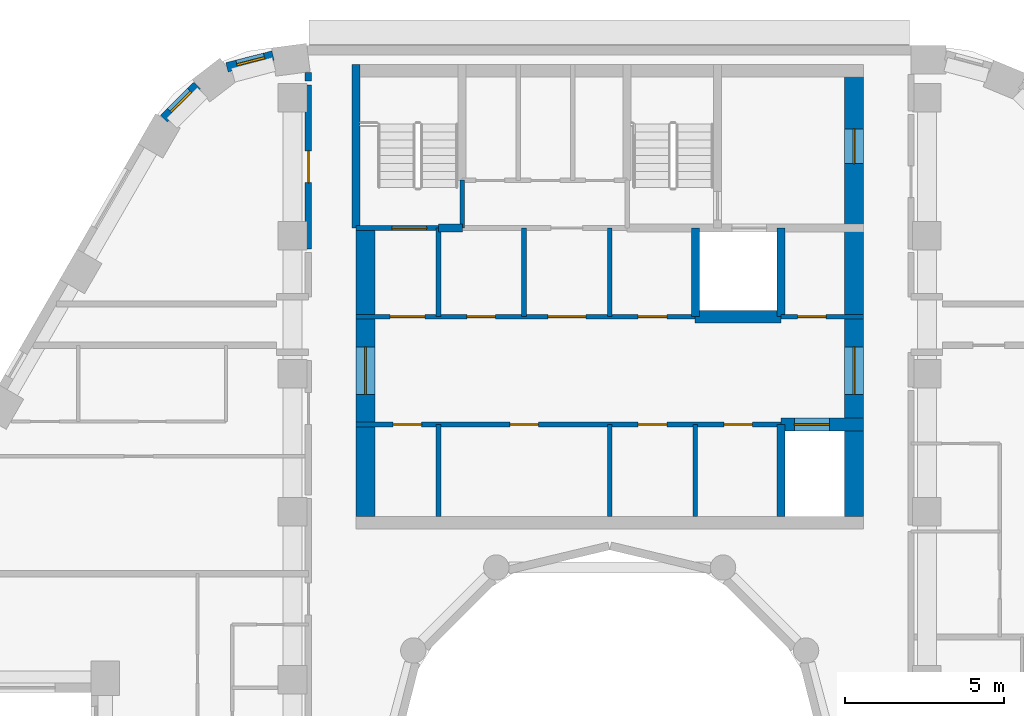
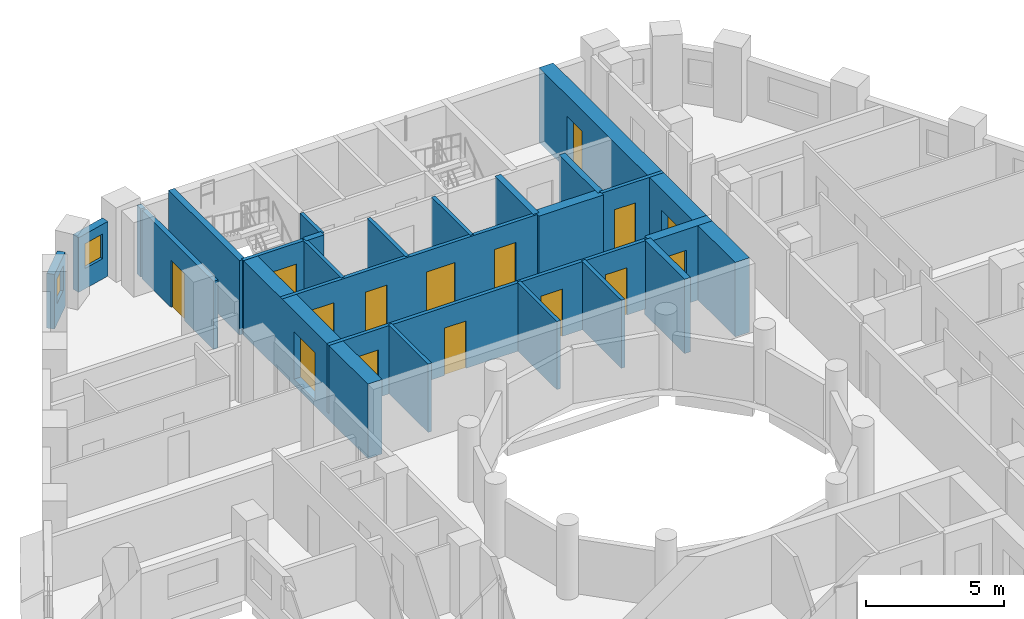
# One storey, part 7 of 12: 24 walls, 15 doors, 2 windows, 17 openings.
"""IFC4 building model written with IfcOpenShell, lengths in metres."""

from ifc_helpers import new_model, si_unit, direction, frame, frame_2d, origin, place, context, subcontext, project, spatial, rectangle, extrude, material, layer, layer_set, type_object, element, fill, save


model = new_model("IFC4")

# Units and contexts
model_context = context("Model", 3, precision=1e-05, world=origin(), true_north=direction((0.0, 1.0)))
body_context = subcontext(model_context, "Body", "Model", "MODEL_VIEW")
ifc_project = project(units=[si_unit("LENGTHUNIT", "METRE"), si_unit("AREAUNIT", "SQUARE_METRE"), si_unit("VOLUMEUNIT", "CUBIC_METRE"), si_unit("PLANEANGLEUNIT", "RADIAN"), si_unit("MASSUNIT", "GRAM", prefix="KILO")], contexts=[model_context])

# Site, building, storey
site_placement = place(None, origin())
site = spatial("IfcSite", under=ifc_project, at=site_placement, CompositionType="ELEMENT")
building_placement = place(site_placement, origin())
building = spatial("IfcBuilding", under=site, at=building_placement, Name="Nakaniwa Court", CompositionType="ELEMENT")
storey_placement = place(building_placement, frame((0.0, 0.0, 252.60009765625)))
storey = spatial("IfcBuildingStorey", under=building, at=storey_placement, Name="L66", CompositionType="ELEMENT", Elevation=252.60009765625)

# Wall, opening, door
ifc_material_1 = material(Name="Acoustic double stud partition")
ifc_layer_1 = layer(ifc_material_1, 0.199951171875)
ifc_layer_set_1 = layer_set([ifc_layer_1], Name="Acoustic double stud partition")
wall_type_1 = type_object("IfcWallType", Name="Acoustic double stud partition 200", PredefinedType="PARTITIONING", material=ifc_layer_set_1)
wall_1_placement = place(storey_placement, frame((70.5, 96.237060546875, 0.0), z_axis=(0.0, 0.0, 1.0), x_axis=(0.0, 1.0, 0.0)))
wall_1 = element("IfcWall", 1, at=wall_1_placement, inside=storey, type_object=wall_type_1, Name="Partition PW-094", PredefinedType="PARTITIONING", context=body_context, shape_type="SweptSolid", body=[
    extrude(rectangle(XDim=5.176025390625, YDim=0.199951171875, at=frame_2d((2.587890625, 0.0))), origin(), (0.0, 0.0, 1.0), 3.02490234375),
])
opening_1_placement = place(wall_1_placement, frame((2.087890625, 0.0, 0.0)))
opening_1 = element("IfcOpeningElement", 2, at=opening_1_placement, cuts=wall_1, Name="Opening D-02-06", PredefinedType="OPENING", context=body_context, shape_type="SweptSolid", body=[
    extrude(rectangle(XDim=1.0, YDim=2.10009765625, at=frame_2d((0.5, 1.050048828125))), frame((0.0, 0.10986328125, 0.0), z_axis=(0.0, -1.0, 0.0), x_axis=(1.0, 0.0, 0.0)), (0.0, 0.0, 1.0), 0.219970703125),
])
ifc_material_2 = material(Name="Solid core timber door set, black veneer", Category="wood")
door_type_1 = type_object("IfcDoorType", Name="Internal door 1000", OperationType="NOTDEFINED", PredefinedType="DOOR", material=ifc_material_2)
door_1_placement = place(opening_1_placement, origin())
door_1 = element("IfcDoor", 3, at=door_1_placement, inside=storey, type_object=door_type_1, Name="Door D-02-06 L66-062", OperationType="SINGLE_SWING_LEFT", OverallHeight=2.10009765625, OverallWidth=1.0, PredefinedType="DOOR", context=body_context, shape_type="SweptSolid", body=[
    extrude(rectangle(XDim=1.0, YDim=2.10009765625, at=frame_2d((0.5, 1.050048828125))), frame((0.0, 0.02490234375, 0.0), z_axis=(0.0, -1.0, 0.0), x_axis=(1.0, 0.0, 0.0)), (0.0, 0.0, 1.0), 0.050048828125),
])
fill(opening_1, door_1)

# Wall
wall_2_placement = place(storey_placement, frame((70.5, 101.527099609375, 0.0), z_axis=(0.0, 0.0, 1.0), x_axis=(0.0, 1.0, 0.0)))
element("IfcWall", 4, at=wall_2_placement, inside=storey, type_object=wall_type_1, Name="Partition PW-095", PredefinedType="PARTITIONING", context=body_context, shape_type="SweptSolid", body=[
    extrude(rectangle(XDim=0.273681640625, YDim=0.199951171875, at=frame_2d((0.13671875, 0.0))), origin(), (0.0, 0.0, 1.0), 3.02490234375),
])

# Wall, opening, window
ifc_material_3 = material(Name="Charcoal ceramic cladding")
ifc_layer_2 = layer(ifc_material_3, 0.02, Name="Ceramic cladding")
ifc_material_4 = material(Name="Ventilated air cavity")
ifc_layer_3 = layer(ifc_material_4, 0.04, ventilated=True, Name="Ventilated cavity")
ifc_material_5 = material(Name="Mineral wool insulation")
ifc_layer_4 = layer(ifc_material_5, 0.1, Name="Insulation")
ifc_material_6 = material(Name="Cement bonded sheathing board")
ifc_layer_5 = layer(ifc_material_6, 0.012, Name="Sheathing")
ifc_material_7 = material(Name="Cold-formed galvanised stud frame with mineral wool infill")
ifc_layer_6 = layer(ifc_material_7, 0.1, Name="Stud frame")
ifc_material_8 = material(Name="Fire-rated gypsum plasterboard lining")
ifc_layer_7 = layer(ifc_material_8, 0.028, Name="Lining")
ifc_layer_set_2 = layer_set([ifc_layer_2, ifc_layer_3, ifc_layer_4, ifc_layer_5, ifc_layer_6, ifc_layer_7], Name="Charcoal ceramic faced external wall system")
wall_type_2 = type_object("IfcWallType", Name="Black ceramic faced external wall 300", PredefinedType="SOLIDWALL", material=ifc_layer_set_2)
wall_3_placement = place(storey_placement, frame((69.386474609375, 102.333251953125, 0.0), z_axis=(0.0, 0.0, 1.0), x_axis=(-0.968895303033, -0.247470991757, 0.0)))
wall_3 = element("IfcWall", 5, at=wall_3_placement, inside=storey, type_object=wall_type_2, Name="L66 external wall 09", PredefinedType="SOLIDWALL", context=body_context, shape_type="SweptSolid", body=[
    extrude(rectangle(XDim=1.50048828125, YDim=0.300048828125, at=frame_2d((0.750244140625, 0.0))), origin(), (0.0, 0.0, 1.0), 2.4248046875),
])
opening_2_placement = place(wall_3_placement, frame((0.27587890625, 0.0, 0.89990234375)))
opening_2 = element("IfcOpeningElement", 6, at=opening_2_placement, cuts=wall_3, Name="Opening W9.10", PredefinedType="OPENING", context=body_context, shape_type="SweptSolid", body=[
    extrude(rectangle(XDim=0.89990234375, YDim=1.10009765625, at=frame_2d((0.449951171875, 0.550048828125))), frame((0.0, 0.159912109375, 0.0), z_axis=(0.0, -1.0, 0.0), x_axis=(1.0, 0.0, 0.0)), (0.0, 0.0, 1.0), 0.320068359375),
])
ifc_material_9 = material(Name="Black anodised aluminium frame with dark low-E laminated double glazing", Category="aluminium")
window_type = type_object("IfcWindowType", Name="Dark glass window 900x1100 sill 900", PartitioningType="SINGLE_PANEL", PredefinedType="WINDOW", material=ifc_material_9)
window_1_placement = place(opening_2_placement, origin())
window_1 = element("IfcWindow", 7, at=window_1_placement, inside=storey, type_object=window_type, Name="L66 habitable room window 09-0", OverallHeight=1.10009765625, OverallWidth=0.89990234375, PartitioningType="SINGLE_PANEL", PredefinedType="WINDOW", context=body_context, shape_type="SweptSolid", body=[
    extrude(rectangle(XDim=0.89990234375, YDim=1.10009765625, at=frame_2d((0.449951171875, 0.550048828125))), frame((0.0, 0.030029296875, 0.0), z_axis=(0.0, -1.0, 0.0), x_axis=(1.0, 0.0, 0.0)), (0.0, 0.0, 1.0), 0.06005859375),
])
fill(opening_2, window_1)

wall_4_placement = place(storey_placement, frame((66.99560546875, 101.388427734375, 0.0), z_axis=(0.0, 0.0, 1.0), x_axis=(-0.708589353117, -0.705621094249, 0.0)))
wall_4 = element("IfcWall", 8, at=wall_4_placement, inside=storey, type_object=wall_type_2, Name="L66 external wall 10", PredefinedType="SOLIDWALL", context=body_context, shape_type="SweptSolid", body=[
    extrude(rectangle(XDim=1.48046875, YDim=0.300048828125, at=frame_2d((0.740234375, 0.0))), origin(), (0.0, 0.0, 1.0), 2.4248046875),
])
opening_3_placement = place(wall_4_placement, frame((0.27978515625, 0.0, 0.89990234375)))
opening_3 = element("IfcOpeningElement", 9, at=opening_3_placement, cuts=wall_4, Name="Opening W9.11", PredefinedType="OPENING", context=body_context, shape_type="SweptSolid", body=[
    extrude(rectangle(XDim=0.89990234375, YDim=1.10009765625, at=frame_2d((0.449951171875, 0.550048828125))), frame((0.0, 0.159912109375, 0.0), z_axis=(0.0, -1.0, 0.0), x_axis=(1.0, 0.0, 0.0)), (0.0, 0.0, 1.0), 0.320068359375),
])
window_2_placement = place(opening_3_placement, origin())
window_2 = element("IfcWindow", 10, at=window_2_placement, inside=storey, type_object=window_type, Name="L66 habitable room window 10-0", OverallHeight=1.10009765625, OverallWidth=0.89990234375, PartitioningType="SINGLE_PANEL", PredefinedType="WINDOW", context=body_context, shape_type="SweptSolid", body=[
    extrude(rectangle(XDim=0.89990234375, YDim=1.10009765625, at=frame_2d((0.449951171875, 0.550048828125))), frame((0.0, 0.030029296875, 0.0), z_axis=(0.0, -1.0, 0.0), x_axis=(1.0, 0.0, 0.0)), (0.0, 0.0, 1.0), 0.06005859375),
])
fill(opening_3, window_2)

# Walls
ifc_material_10 = material(Name="Blockwork partition", Category="masonry")
ifc_layer_8 = layer(ifc_material_10, 0.14990234375)
ifc_layer_set_3 = layer_set([ifc_layer_8], Name="Blockwork partition")
wall_type_3 = type_object("IfcWallType", Name="Blockwork partition 150", PredefinedType="PARTITIONING", material=ifc_layer_set_3)
wall_5_placement = place(storey_placement, frame((74.60009765625, 87.800048828125, 0.0), z_axis=(0.0, 0.0, 1.0), x_axis=(0.0, 1.0, 0.0)))
element("IfcWall", 11, at=wall_5_placement, inside=storey, type_object=wall_type_3, Name="Partition PW-001", PredefinedType="PARTITIONING", context=body_context, shape_type="SweptSolid", body=[
    extrude(rectangle(XDim=2.89990234375, YDim=0.14990234375, at=frame_2d((1.449951171875, 0.0))), origin(), (0.0, 0.0, 1.0), 3.02490234375),
])
wall_6_placement = place(storey_placement, frame((74.60009765625, 94.10009765625, 0.0), z_axis=(0.0, 0.0, 1.0), x_axis=(0.0, 1.0, 0.0)))
element("IfcWall", 12, at=wall_6_placement, inside=storey, type_object=wall_type_3, Name="Partition PW-002", PredefinedType="PARTITIONING", context=body_context, shape_type="SweptSolid", body=[
    extrude(rectangle(XDim=2.7998046875, YDim=0.14990234375, at=frame_2d((1.39990234375, 0.0))), origin(), (0.0, 0.0, 1.0), 3.02490234375),
])

# Wall, openings, doors
wall_7_placement = place(storey_placement, frame((85.39990234375, 90.699951171875, 0.0), z_axis=(0.0, 0.0, 1.0), x_axis=(-1.0, 0.0, 0.0)))
wall_7 = element("IfcWall", 13, at=wall_7_placement, inside=storey, type_object=wall_type_3, Name="Partition PW-003", PredefinedType="PARTITIONING", context=body_context, shape_type="SweptSolid", body=[
    extrude(rectangle(XDim=13.39990234375, YDim=0.14990234375, at=frame_2d((6.699951171875, 0.0))), origin(), (0.0, 0.0, 1.0), 3.02490234375),
])
opening_4_placement = place(wall_7_placement, frame((11.324951171875, 0.0, 0.0)))
opening_4 = element("IfcOpeningElement", 14, at=opening_4_placement, cuts=wall_7, Name="Opening D-05-01", PredefinedType="OPENING", context=body_context, shape_type="SweptSolid", body=[
    extrude(rectangle(XDim=0.89990234375, YDim=2.10009765625, at=frame_2d((0.449951171875, 1.050048828125))), frame((0.0, 0.0849609375, 0.0), z_axis=(0.0, -1.0, 0.0), x_axis=(1.0, 0.0, 0.0)), (0.0, 0.0, 1.0), 0.169921875),
])
opening_5_placement = place(wall_7_placement, frame((7.64990234375, 0.0, 0.0)))
opening_5 = element("IfcOpeningElement", 15, at=opening_5_placement, cuts=wall_7, Name="Opening D-05-02", PredefinedType="OPENING", context=body_context, shape_type="SweptSolid", body=[
    extrude(rectangle(XDim=0.89990234375, YDim=2.10009765625, at=frame_2d((0.449951171875, 1.050048828125))), frame((0.0, 0.0849609375, 0.0), z_axis=(0.0, -1.0, 0.0), x_axis=(1.0, 0.0, 0.0)), (0.0, 0.0, 1.0), 0.169921875),
])
opening_6_placement = place(wall_7_placement, frame((3.60009765625, 0.0, 0.0)))
opening_6 = element("IfcOpeningElement", 16, at=opening_6_placement, cuts=wall_7, Name="Opening D-05-03", PredefinedType="OPENING", context=body_context, shape_type="SweptSolid", body=[
    extrude(rectangle(XDim=0.89990234375, YDim=2.10009765625, at=frame_2d((0.449951171875, 1.050048828125))), frame((0.0, 0.0849609375, 0.0), z_axis=(0.0, -1.0, 0.0), x_axis=(1.0, 0.0, 0.0)), (0.0, 0.0, 1.0), 0.169921875),
])
opening_7_placement = place(wall_7_placement, frame((0.89990234375, 0.0, 0.0)))
opening_7 = element("IfcOpeningElement", 17, at=opening_7_placement, cuts=wall_7, Name="Opening D-05-04", PredefinedType="OPENING", context=body_context, shape_type="SweptSolid", body=[
    extrude(rectangle(XDim=0.89990234375, YDim=2.10009765625, at=frame_2d((0.449951171875, 1.050048828125))), frame((0.0, 0.0849609375, 0.0), z_axis=(0.0, -1.0, 0.0), x_axis=(1.0, 0.0, 0.0)), (0.0, 0.0, 1.0), 0.169921875),
])
ifc_material_11 = material(Name="Fire rated steel door set", Category="steel")
door_type_2 = type_object("IfcDoorType", Name="Service room door 900", OperationType="NOTDEFINED", PredefinedType="DOOR", material=ifc_material_11)
door_2_placement = place(opening_4_placement, origin())
door_2 = element("IfcDoor", 18, at=door_2_placement, inside=storey, type_object=door_type_2, Name="Door D-05-01 L66-001", OperationType="SINGLE_SWING_RIGHT", OverallHeight=2.10009765625, OverallWidth=0.89990234375, PredefinedType="DOOR", context=body_context, shape_type="SweptSolid", body=[
    extrude(rectangle(XDim=0.89990234375, YDim=2.10009765625, at=frame_2d((0.449951171875, 1.050048828125))), frame((0.0, 0.02490234375, 0.0), z_axis=(0.0, -1.0, 0.0), x_axis=(1.0, 0.0, 0.0)), (0.0, 0.0, 1.0), 0.050048828125),
])
fill(opening_4, door_2)
door_3_placement = place(opening_5_placement, origin())
door_3 = element("IfcDoor", 19, at=door_3_placement, inside=storey, type_object=door_type_2, Name="Door D-05-02 L66-002", OperationType="SINGLE_SWING_LEFT", OverallHeight=2.10009765625, OverallWidth=0.89990234375, PredefinedType="DOOR", context=body_context, shape_type="SweptSolid", body=[
    extrude(rectangle(XDim=0.89990234375, YDim=2.10009765625, at=frame_2d((0.449951171875, 1.050048828125))), frame((0.0, 0.02490234375, 0.0), z_axis=(0.0, -1.0, 0.0), x_axis=(1.0, 0.0, 0.0)), (0.0, 0.0, 1.0), 0.050048828125),
])
fill(opening_5, door_3)
door_4_placement = place(opening_6_placement, origin())
door_4 = element("IfcDoor", 20, at=door_4_placement, inside=storey, type_object=door_type_2, Name="Door D-05-03 L66-003", OperationType="SINGLE_SWING_RIGHT", OverallHeight=2.10009765625, OverallWidth=0.89990234375, PredefinedType="DOOR", context=body_context, shape_type="SweptSolid", body=[
    extrude(rectangle(XDim=0.89990234375, YDim=2.10009765625, at=frame_2d((0.449951171875, 1.050048828125))), frame((0.0, 0.02490234375, 0.0), z_axis=(0.0, -1.0, 0.0), x_axis=(1.0, 0.0, 0.0)), (0.0, 0.0, 1.0), 0.050048828125),
])
fill(opening_6, door_4)
door_5_placement = place(opening_7_placement, origin())
door_5 = element("IfcDoor", 21, at=door_5_placement, inside=storey, type_object=door_type_2, Name="Door D-05-04 L66-004", OperationType="SINGLE_SWING_LEFT", OverallHeight=2.10009765625, OverallWidth=0.89990234375, PredefinedType="DOOR", context=body_context, shape_type="SweptSolid", body=[
    extrude(rectangle(XDim=0.89990234375, YDim=2.10009765625, at=frame_2d((0.449951171875, 1.050048828125))), frame((0.0, 0.02490234375, 0.0), z_axis=(0.0, -1.0, 0.0), x_axis=(1.0, 0.0, 0.0)), (0.0, 0.0, 1.0), 0.050048828125),
])
fill(opening_7, door_5)

# Walls
wall_8_placement = place(storey_placement, frame((80.0, 87.800048828125, 0.0), z_axis=(0.0, 0.0, 1.0), x_axis=(0.0, 1.0, 0.0)))
element("IfcWall", 22, at=wall_8_placement, inside=storey, type_object=wall_type_3, Name="Partition PW-009", PredefinedType="PARTITIONING", context=body_context, shape_type="SweptSolid", body=[
    extrude(rectangle(XDim=2.89990234375, YDim=0.14990234375, at=frame_2d((1.449951171875, 0.0))), origin(), (0.0, 0.0, 1.0), 3.02490234375),
])
wall_9_placement = place(storey_placement, frame((80.0, 94.10009765625, 0.0), z_axis=(0.0, 0.0, 1.0), x_axis=(0.0, 1.0, 0.0)))
element("IfcWall", 23, at=wall_9_placement, inside=storey, type_object=wall_type_3, Name="Partition PW-010", PredefinedType="PARTITIONING", context=body_context, shape_type="SweptSolid", body=[
    extrude(rectangle(XDim=2.7998046875, YDim=0.14990234375, at=frame_2d((1.39990234375, 0.0))), origin(), (0.0, 0.0, 1.0), 3.02490234375),
])
wall_10_placement = place(storey_placement, frame((82.699951171875, 87.800048828125, 0.0), z_axis=(0.0, 0.0, 1.0), x_axis=(0.0, 1.0, 0.0)))
element("IfcWall", 24, at=wall_10_placement, inside=storey, type_object=wall_type_3, Name="Partition PW-011", PredefinedType="PARTITIONING", context=body_context, shape_type="SweptSolid", body=[
    extrude(rectangle(XDim=2.89990234375, YDim=0.14990234375, at=frame_2d((1.449951171875, 0.0))), origin(), (0.0, 0.0, 1.0), 3.02490234375),
])

# Wall, openings, doors
wall_11_placement = place(storey_placement, frame((72.0, 94.10009765625, 0.0), z_axis=(0.0, 0.0, 1.0), x_axis=(1.0, 0.0, 0.0)))
wall_11 = element("IfcWall", 25, at=wall_11_placement, inside=storey, type_object=wall_type_3, Name="Partition PW-012", PredefinedType="PARTITIONING", context=body_context, shape_type="SweptSolid", body=[
    extrude(rectangle(XDim=10.702880859375, YDim=0.14990234375, at=frame_2d((5.3515625, 0.0))), origin(), (0.0, 0.0, 1.0), 3.02490234375),
])
opening_8_placement = place(wall_11_placement, frame((1.074951171875, 0.0, 0.0)))
opening_8 = element("IfcOpeningElement", 26, at=opening_8_placement, cuts=wall_11, Name="Opening D-08-01", PredefinedType="OPENING", context=body_context, shape_type="SweptSolid", body=[
    extrude(rectangle(XDim=1.10009765625, YDim=2.10009765625, at=frame_2d((0.550048828125, 1.050048828125))), frame((0.0, 0.0849609375, 0.0), z_axis=(0.0, -1.0, 0.0), x_axis=(1.0, 0.0, 0.0)), (0.0, 0.0, 1.0), 0.169921875),
])
opening_9_placement = place(wall_11_placement, frame((3.5, 0.0, 0.0)))
opening_9 = element("IfcOpeningElement", 27, at=opening_9_placement, cuts=wall_11, Name="Opening D-05-05", PredefinedType="OPENING", context=body_context, shape_type="SweptSolid", body=[
    extrude(rectangle(XDim=0.89990234375, YDim=2.10009765625, at=frame_2d((0.449951171875, 1.050048828125))), frame((0.0, 0.0849609375, 0.0), z_axis=(0.0, -1.0, 0.0), x_axis=(1.0, 0.0, 0.0)), (0.0, 0.0, 1.0), 0.169921875),
])
opening_10_placement = place(wall_11_placement, frame((6.050048828125, 0.0, 0.0)))
opening_10 = element("IfcOpeningElement", 28, at=opening_10_placement, cuts=wall_11, Name="Opening D-06-01", PredefinedType="OPENING", context=body_context, shape_type="SweptSolid", body=[
    extrude(rectangle(XDim=1.199951171875, YDim=2.10009765625, at=frame_2d((0.60009765625, 1.050048828125))), frame((0.0, 0.0849609375, 0.0), z_axis=(0.0, -1.0, 0.0), x_axis=(1.0, 0.0, 0.0)), (0.0, 0.0, 1.0), 0.169921875),
])
opening_11_placement = place(wall_11_placement, frame((8.89990234375, 0.0, 0.0)))
opening_11 = element("IfcOpeningElement", 29, at=opening_11_placement, cuts=wall_11, Name="Opening D-05-06", PredefinedType="OPENING", context=body_context, shape_type="SweptSolid", body=[
    extrude(rectangle(XDim=0.89990234375, YDim=2.10009765625, at=frame_2d((0.449951171875, 1.050048828125))), frame((0.0, 0.0849609375, 0.0), z_axis=(0.0, -1.0, 0.0), x_axis=(1.0, 0.0, 0.0)), (0.0, 0.0, 1.0), 0.169921875),
])
ifc_material_12 = material(Name="Fire rated steel double door set", Category="steel")
door_type_3 = type_object("IfcDoorType", Name="Service passage double door 1200", OperationType="NOTDEFINED", PredefinedType="DOOR", material=ifc_material_12)
door_6_placement = place(opening_10_placement, origin())
door_6 = element("IfcDoor", 30, at=door_6_placement, inside=storey, type_object=door_type_3, Name="Door D-06-01 L66-007", OperationType="DOUBLE_DOOR_SINGLE_SWING", OverallHeight=2.10009765625, OverallWidth=1.199951171875, PredefinedType="DOOR", context=body_context, shape_type="SweptSolid", body=[
    extrude(rectangle(XDim=1.199951171875, YDim=2.10009765625, at=frame_2d((0.60009765625, 1.050048828125))), frame((0.0, 0.02490234375, 0.0), z_axis=(0.0, -1.0, 0.0), x_axis=(1.0, 0.0, 0.0)), (0.0, 0.0, 1.0), 0.050048828125),
])
fill(opening_10, door_6)
door_7_placement = place(opening_9_placement, origin())
door_7 = element("IfcDoor", 31, at=door_7_placement, inside=storey, type_object=door_type_2, Name="Door D-05-05 L66-006", OperationType="SINGLE_SWING_LEFT", OverallHeight=2.10009765625, OverallWidth=0.89990234375, PredefinedType="DOOR", context=body_context, shape_type="SweptSolid", body=[
    extrude(rectangle(XDim=0.89990234375, YDim=2.10009765625, at=frame_2d((0.449951171875, 1.050048828125))), frame((0.0, 0.02490234375, 0.0), z_axis=(0.0, -1.0, 0.0), x_axis=(1.0, 0.0, 0.0)), (0.0, 0.0, 1.0), 0.050048828125),
])
fill(opening_9, door_7)
door_8_placement = place(opening_11_placement, origin())
door_8 = element("IfcDoor", 32, at=door_8_placement, inside=storey, type_object=door_type_2, Name="Door D-05-06 L66-008", OperationType="SINGLE_SWING_LEFT", OverallHeight=2.10009765625, OverallWidth=0.89990234375, PredefinedType="DOOR", context=body_context, shape_type="SweptSolid", body=[
    extrude(rectangle(XDim=0.89990234375, YDim=2.10009765625, at=frame_2d((0.449951171875, 1.050048828125))), frame((0.0, 0.02490234375, 0.0), z_axis=(0.0, -1.0, 0.0), x_axis=(1.0, 0.0, 0.0)), (0.0, 0.0, 1.0), 0.050048828125),
])
fill(opening_11, door_8)
door_type_4 = type_object("IfcDoorType", Name="Stair lobby door 1100", OperationType="NOTDEFINED", PredefinedType="DOOR", material=ifc_material_11)
door_9_placement = place(opening_8_placement, origin())
door_9 = element("IfcDoor", 33, at=door_9_placement, inside=storey, type_object=door_type_4, Name="Door D-08-01 L66-005", OperationType="SINGLE_SWING_RIGHT", OverallHeight=2.10009765625, OverallWidth=1.10009765625, PredefinedType="DOOR", context=body_context, shape_type="SweptSolid", body=[
    extrude(rectangle(XDim=1.10009765625, YDim=2.10009765625, at=frame_2d((0.550048828125, 1.050048828125))), frame((0.0, 0.02490234375, 0.0), z_axis=(0.0, -1.0, 0.0), x_axis=(1.0, 0.0, 0.0)), (0.0, 0.0, 1.0), 0.050048828125),
])
fill(opening_8, door_9)

# Wall, opening, door
wall_12_placement = place(storey_placement, frame((85.39697265625, 94.10009765625, 0.0), z_axis=(0.0, 0.0, 1.0), x_axis=(1.0, 0.0, 0.0)))
wall_12 = element("IfcWall", 34, at=wall_12_placement, inside=storey, type_object=wall_type_3, Name="Partition PW-013", PredefinedType="PARTITIONING", context=body_context, shape_type="SweptSolid", body=[
    extrude(rectangle(XDim=2.60302734375, YDim=0.14990234375, at=frame_2d((1.301513671875, 0.0))), origin(), (0.0, 0.0, 1.0), 3.02490234375),
])
opening_12_placement = place(wall_12_placement, frame((0.528076171875, 0.0, 0.0)))
opening_12 = element("IfcOpeningElement", 35, at=opening_12_placement, cuts=wall_12, Name="Opening D-05-07", PredefinedType="OPENING", context=body_context, shape_type="SweptSolid", body=[
    extrude(rectangle(XDim=0.89990234375, YDim=2.10009765625, at=frame_2d((0.449951171875, 1.050048828125))), frame((0.0, 0.0849609375, 0.0), z_axis=(0.0, -1.0, 0.0), x_axis=(1.0, 0.0, 0.0)), (0.0, 0.0, 1.0), 0.169921875),
])
door_10_placement = place(opening_12_placement, origin())
door_10 = element("IfcDoor", 36, at=door_10_placement, inside=storey, type_object=door_type_2, Name="Door D-05-07 L66-009", OperationType="SINGLE_SWING_RIGHT", OverallHeight=2.10009765625, OverallWidth=0.89990234375, PredefinedType="DOOR", context=body_context, shape_type="SweptSolid", body=[
    extrude(rectangle(XDim=0.89990234375, YDim=2.10009765625, at=frame_2d((0.449951171875, 1.050048828125))), frame((0.0, 0.02490234375, 0.0), z_axis=(0.0, -1.0, 0.0), x_axis=(1.0, 0.0, 0.0)), (0.0, 0.0, 1.0), 0.050048828125),
])
fill(opening_12, door_10)

# Wall
wall_13_placement = place(storey_placement, frame((77.300048828125, 94.10009765625, 0.0), z_axis=(0.0, 0.0, 1.0), x_axis=(0.0, 1.0, 0.0)))
element("IfcWall", 37, at=wall_13_placement, inside=storey, type_object=wall_type_3, Name="Partition PW-016", PredefinedType="PARTITIONING", context=body_context, shape_type="SweptSolid", body=[
    extrude(rectangle(XDim=2.7998046875, YDim=0.14990234375, at=frame_2d((1.39990234375, 0.0))), origin(), (0.0, 0.0, 1.0), 3.02490234375),
])

# Wall, opening, door
ifc_material_13 = material(Name="Concrete C80/100", Category="concrete")
ifc_layer_9 = layer(ifc_material_13, 0.60009765625)
ifc_layer_set_4 = layer_set([ifc_layer_9], Name="Concrete C80/100")
wall_type_4 = type_object("IfcWallType", Name="Concrete core side wall 600 C80", PredefinedType="SHEAR", material=ifc_layer_set_4)
wall_14_placement = place(storey_placement, frame((72.300048828125, 87.800048828125, -0.275146484375), z_axis=(0.0, 0.0, 1.0), x_axis=(0.0, 1.0, 0.0)))
wall_14 = element("IfcWall", 38, at=wall_14_placement, inside=storey, type_object=wall_type_4, Name="Core wall SW-04", PredefinedType="SHEAR", context=body_context, shape_type="SweptSolid", body=[
    extrude(rectangle(XDim=9.099853515625, YDim=0.60009765625, at=frame_2d((4.5498046875, 0.0))), origin(), (0.0, 0.0, 1.0), 3.300048828125),
])
opening_13_placement = place(wall_14_placement, frame((3.85009765625, 0.0, 0.27490234375)))
opening_13 = element("IfcOpeningElement", 39, at=opening_13_placement, cuts=wall_14, Name="Opening D-07-02", PredefinedType="OPENING", context=body_context, shape_type="SweptSolid", body=[
    extrude(rectangle(XDim=1.5, YDim=2.10009765625, at=frame_2d((0.75, 1.050048828125))), frame((0.0, 0.31005859375, 0.0), z_axis=(0.0, -1.0, 0.0), x_axis=(1.0, 0.0, 0.0)), (0.0, 0.0, 1.0), 0.6201171875),
])
ifc_material_14 = material(Name="Glazed fire rated steel double door set", Category="steel")
door_type_5 = type_object("IfcDoorType", Name="Lobby double door 1500", OperationType="NOTDEFINED", PredefinedType="DOOR", material=ifc_material_14)
door_11_placement = place(opening_13_placement, origin())
door_11 = element("IfcDoor", 40, at=door_11_placement, inside=storey, type_object=door_type_5, Name="Door D-07-02 L66-064", OperationType="DOUBLE_DOOR_SINGLE_SWING", OverallHeight=2.10009765625, OverallWidth=1.5, PredefinedType="DOOR", context=body_context, shape_type="SweptSolid", body=[
    extrude(rectangle(XDim=1.5, YDim=2.10009765625, at=frame_2d((0.75, 1.050048828125))), frame((0.0, 0.02490234375, 0.0), z_axis=(0.0, -1.0, 0.0), x_axis=(1.0, 0.0, 0.0)), (0.0, 0.0, 1.0), 0.050048828125),
])
fill(opening_13, door_11)

# Wall, openings, doors
wall_15_placement = place(storey_placement, frame((87.699951171875, 102.050048828125, -0.275146484375), z_axis=(0.0, 0.0, 1.0), x_axis=(0.0, -1.0, 0.0)))
wall_15 = element("IfcWall", 41, at=wall_15_placement, inside=storey, type_object=wall_type_4, Name="Core wall SW-08", PredefinedType="SHEAR", context=body_context, shape_type="SweptSolid", body=[
    extrude(rectangle(XDim=14.25, YDim=0.60009765625, at=frame_2d((7.125, 0.0))), origin(), (0.0, 0.0, 1.0), 3.300048828125),
])
opening_14_placement = place(wall_15_placement, frame((8.89990234375, 0.0, 0.27490234375)))
opening_14 = element("IfcOpeningElement", 42, at=opening_14_placement, cuts=wall_15, Name="Opening D-07-01", PredefinedType="OPENING", context=body_context, shape_type="SweptSolid", body=[
    extrude(rectangle(XDim=1.5, YDim=2.10009765625, at=frame_2d((0.75, 1.050048828125))), frame((0.0, 0.31005859375, 0.0), z_axis=(0.0, -1.0, 0.0), x_axis=(1.0, 0.0, 0.0)), (0.0, 0.0, 1.0), 0.6201171875),
])
opening_15_placement = place(wall_15_placement, frame((2.02490234375, 0.0, 0.27490234375)))
opening_15 = element("IfcOpeningElement", 43, at=opening_15_placement, cuts=wall_15, Name="Opening D-10-01", PredefinedType="OPENING", context=body_context, shape_type="SweptSolid", body=[
    extrude(rectangle(XDim=1.10009765625, YDim=2.10009765625, at=frame_2d((0.550048828125, 1.050048828125))), frame((0.0, 0.31005859375, 0.0), z_axis=(0.0, -1.0, 0.0), x_axis=(1.0, 0.0, 0.0)), (0.0, 0.0, 1.0), 0.6201171875),
])
door_type_6 = type_object("IfcDoorType", Name="Firefighting lobby door 1100", OperationType="NOTDEFINED", PredefinedType="DOOR", material=ifc_material_11)
door_12_placement = place(opening_15_placement, origin())
door_12 = element("IfcDoor", 44, at=door_12_placement, inside=storey, type_object=door_type_6, Name="Door D-10-01 L66-065", OperationType="SINGLE_SWING_RIGHT", OverallHeight=2.10009765625, OverallWidth=1.10009765625, PredefinedType="DOOR", context=body_context, shape_type="SweptSolid", body=[
    extrude(rectangle(XDim=1.10009765625, YDim=2.10009765625, at=frame_2d((0.550048828125, 1.050048828125))), frame((0.0, 0.02490234375, 0.0), z_axis=(0.0, -1.0, 0.0), x_axis=(1.0, 0.0, 0.0)), (0.0, 0.0, 1.0), 0.050048828125),
])
fill(opening_15, door_12)
door_13_placement = place(opening_14_placement, origin())
door_13 = element("IfcDoor", 45, at=door_13_placement, inside=storey, type_object=door_type_5, Name="Door D-07-01 L66-063", OperationType="DOUBLE_DOOR_SINGLE_SWING", OverallHeight=2.10009765625, OverallWidth=1.5, PredefinedType="DOOR", context=body_context, shape_type="SweptSolid", body=[
    extrude(rectangle(XDim=1.5, YDim=2.10009765625, at=frame_2d((0.75, 1.050048828125))), frame((0.0, 0.02490234375, 0.0), z_axis=(0.0, -1.0, 0.0), x_axis=(1.0, 0.0, 0.0)), (0.0, 0.0, 1.0), 0.050048828125),
])
fill(opening_14, door_13)

# Wall, opening, door
ifc_layer_10 = layer(ifc_material_13, 0.39990234375)
ifc_layer_set_5 = layer_set([ifc_layer_10], Name="Concrete C80/100")
wall_type_5 = type_object("IfcWallType", Name="Concrete core spine wall 400 C80", PredefinedType="SHEAR", material=ifc_layer_set_5)
wall_16_placement = place(storey_placement, frame((85.39990234375, 90.699951171875, -0.275146484375), z_axis=(0.0, 0.0, 1.0), x_axis=(1.0, 0.0, 0.0)))
wall_16 = element("IfcWall", 46, at=wall_16_placement, inside=storey, type_object=wall_type_5, Name="Core wall SW-07", PredefinedType="SHEAR", context=body_context, shape_type="SweptSolid", body=[
    extrude(rectangle(XDim=2.60009765625, YDim=0.39990234375, at=frame_2d((1.300048828125, 0.0))), origin(), (0.0, 0.0, 1.0), 3.300048828125),
])
opening_16_placement = place(wall_16_placement, frame((0.425048828125, 0.0, 0.27490234375)))
opening_16 = element("IfcOpeningElement", 47, at=opening_16_placement, cuts=wall_16, Name="Opening LD01", PredefinedType="OPENING", context=body_context, shape_type="SweptSolid", body=[
    extrude(rectangle(XDim=1.10009765625, YDim=2.10009765625, at=frame_2d((0.550048828125, 1.050048828125))), frame((0.0, 0.2099609375, 0.0), z_axis=(0.0, -1.0, 0.0), x_axis=(1.0, 0.0, 0.0)), (0.0, 0.0, 1.0), 0.419921875),
])
ifc_material_15 = material(Name="Stainless steel sliding lift landing door", Category="steel")
door_type_7 = type_object("IfcDoorType", Name="Lift landing door 1100", OperationType="NOTDEFINED", PredefinedType="DOOR", material=ifc_material_15)
door_14_placement = place(opening_16_placement, origin())
door_14 = element("IfcDoor", 48, at=door_14_placement, inside=storey, type_object=door_type_7, Name="Lift landing door LD01 L66-001", OperationType="SLIDING_TO_LEFT", OverallHeight=2.10009765625, OverallWidth=1.10009765625, PredefinedType="DOOR", context=body_context, shape_type="SweptSolid", body=[
    extrude(rectangle(XDim=1.10009765625, YDim=2.10009765625, at=frame_2d((0.550048828125, 1.050048828125))), frame((0.0, 0.02490234375, 0.0), z_axis=(0.0, -1.0, 0.0), x_axis=(1.0, 0.0, 0.0)), (0.0, 0.0, 1.0), 0.050048828125),
])
fill(opening_16, door_14)

# Wall
wall_17_placement = place(storey_placement, frame((82.697021484375, 94.10009765625, -0.275146484375), z_axis=(0.0, 0.0, 1.0), x_axis=(1.0, 0.0, 0.0)))
element("IfcWall", 49, at=wall_17_placement, inside=storey, type_object=wall_type_5, Name="Core wall SW-14", PredefinedType="SHEAR", context=body_context, shape_type="SweptSolid", body=[
    extrude(rectangle(XDim=2.7060546875, YDim=0.39990234375, at=frame_2d((1.35302734375, 0.0))), origin(), (0.0, 0.0, 1.0), 3.300048828125),
])

# Wall, opening, door
ifc_layer_11 = layer(ifc_material_13, 0.14990234375)
ifc_layer_set_6 = layer_set([ifc_layer_11], Name="Concrete C80/100")
wall_type_6 = type_object("IfcWallType", Name="Concrete core wall 150 C80", PredefinedType="SHEAR", material=ifc_layer_set_6)
wall_18_placement = place(storey_placement, frame((74.60009765625, 96.89990234375, -0.275146484375), z_axis=(0.0, 0.0, 1.0), x_axis=(-1.0, 0.0, 0.0)))
wall_18 = element("IfcWall", 50, at=wall_18_placement, inside=storey, type_object=wall_type_6, Name="Core wall SW-15", PredefinedType="SHEAR", context=body_context, shape_type="SweptSolid", body=[
    extrude(rectangle(XDim=2.60009765625, YDim=0.14990234375, at=frame_2d((1.300048828125, 0.0))), origin(), (0.0, 0.0, 1.0), 3.300048828125),
])
opening_17_placement = place(wall_18_placement, frame((0.3701171875, 0.0, 0.27490234375)))
opening_17 = element("IfcOpeningElement", 51, at=opening_17_placement, cuts=wall_18, Name="Opening D-09-01", PredefinedType="OPENING", context=body_context, shape_type="SweptSolid", body=[
    extrude(rectangle(XDim=1.10009765625, YDim=2.10009765625, at=frame_2d((0.550048828125, 1.050048828125))), frame((0.0, 0.0849609375, 0.0), z_axis=(0.0, -1.0, 0.0), x_axis=(1.0, 0.0, 0.0)), (0.0, 0.0, 1.0), 0.169921875),
])
door_type_8 = type_object("IfcDoorType", Name="Stair door 1100", OperationType="NOTDEFINED", PredefinedType="DOOR", material=ifc_material_11)
door_15_placement = place(opening_17_placement, origin())
door_15 = element("IfcDoor", 52, at=door_15_placement, inside=storey, type_object=door_type_8, Name="Door D-09-01 L66-014", OperationType="SINGLE_SWING_RIGHT", OverallHeight=2.10009765625, OverallWidth=1.10009765625, PredefinedType="DOOR", context=body_context, shape_type="SweptSolid", body=[
    extrude(rectangle(XDim=1.10009765625, YDim=2.10009765625, at=frame_2d((0.550048828125, 1.050048828125))), frame((0.0, 0.02490234375, 0.0), z_axis=(0.0, -1.0, 0.0), x_axis=(1.0, 0.0, 0.0)), (0.0, 0.0, 1.0), 0.050048828125),
])
fill(opening_17, door_15)

# Walls
wall_19_placement = place(storey_placement, frame((75.35009765625, 96.89990234375, -0.275146484375), z_axis=(0.0, 0.0, 1.0), x_axis=(0.0, 1.0, 0.0)))
element("IfcWall", 53, at=wall_19_placement, inside=storey, type_object=wall_type_6, Name="Core wall SW-21", PredefinedType="SHEAR", context=body_context, shape_type="SweptSolid", body=[
    extrude(rectangle(XDim=1.503173828125, YDim=0.14990234375, at=frame_2d((0.75146484375, 0.0))), origin(), (0.0, 0.0, 1.0), 3.300048828125),
])
ifc_layer_12 = layer(ifc_material_13, 0.25)
ifc_layer_set_7 = layer_set([ifc_layer_12], Name="Concrete C80/100")
wall_type_7 = type_object("IfcWallType", Name="Concrete core wall 250 C80", PredefinedType="SHEAR", material=ifc_layer_set_7)
wall_20_placement = place(storey_placement, frame((72.0, 96.89990234375, -0.275146484375), z_axis=(0.0, 0.0, 1.0), x_axis=(0.0, 1.0, 0.0)))
element("IfcWall", 54, at=wall_20_placement, inside=storey, type_object=wall_type_7, Name="Core wall SW-23", PredefinedType="SHEAR", context=body_context, shape_type="SweptSolid", body=[
    extrude(rectangle(XDim=5.150146484375, YDim=0.25, at=frame_2d((2.5751953125, 0.0))), origin(), (0.0, 0.0, 1.0), 3.300048828125),
])
ifc_layer_13 = layer(ifc_material_13, 0.25)
ifc_layer_set_8 = layer_set([ifc_layer_13], Name="Concrete C80/100")
wall_type_8 = type_object("IfcWallType", Name="Concrete shaft wall 250 C80", PredefinedType="SHEAR", material=ifc_layer_set_8)
wall_21_placement = place(storey_placement, frame((85.39990234375, 87.800048828125, -0.275146484375), z_axis=(0.0, 0.0, 1.0), x_axis=(0.0, 1.0, 0.0)))
element("IfcWall", 55, at=wall_21_placement, inside=storey, type_object=wall_type_8, Name="Core wall SW-05", PredefinedType="SHEAR", context=body_context, shape_type="SweptSolid", body=[
    extrude(rectangle(XDim=2.89990234375, YDim=0.25, at=frame_2d((1.449951171875, 0.0))), origin(), (0.0, 0.0, 1.0), 3.300048828125),
])
wall_22_placement = place(storey_placement, frame((85.39990234375, 94.10009765625, -0.275146484375), z_axis=(0.0, 0.0, 1.0), x_axis=(0.0, 1.0, 0.0)))
element("IfcWall", 56, at=wall_22_placement, inside=storey, type_object=wall_type_8, Name="Core wall SW-06", PredefinedType="SHEAR", context=body_context, shape_type="SweptSolid", body=[
    extrude(rectangle(XDim=2.7998046875, YDim=0.25, at=frame_2d((1.39990234375, 0.0))), origin(), (0.0, 0.0, 1.0), 3.300048828125),
])
wall_23_placement = place(storey_placement, frame((74.60009765625, 96.89990234375, -0.275146484375), z_axis=(0.0, 0.0, 1.0), x_axis=(1.0, 0.0, 0.0)))
element("IfcWall", 57, at=wall_23_placement, inside=storey, type_object=wall_type_8, Name="Core wall SW-17", PredefinedType="SHEAR", context=body_context, shape_type="SweptSolid", body=[
    extrude(rectangle(XDim=0.7529296875, YDim=0.25, at=frame_2d((0.37646484375, 0.0))), origin(), (0.0, 0.0, 1.0), 3.300048828125),
])
wall_24_placement = place(storey_placement, frame((82.699951171875, 94.10009765625, -0.275146484375), z_axis=(0.0, 0.0, 1.0), x_axis=(0.0, 1.0, 0.0)))
element("IfcWall", 58, at=wall_24_placement, inside=storey, type_object=wall_type_8, Name="Core wall SW-20", PredefinedType="SHEAR", context=body_context, shape_type="SweptSolid", body=[
    extrude(rectangle(XDim=2.7998046875, YDim=0.25, at=frame_2d((1.39990234375, 0.0))), origin(), (0.0, 0.0, 1.0), 3.300048828125),
])

save(model, "model.ifc")
